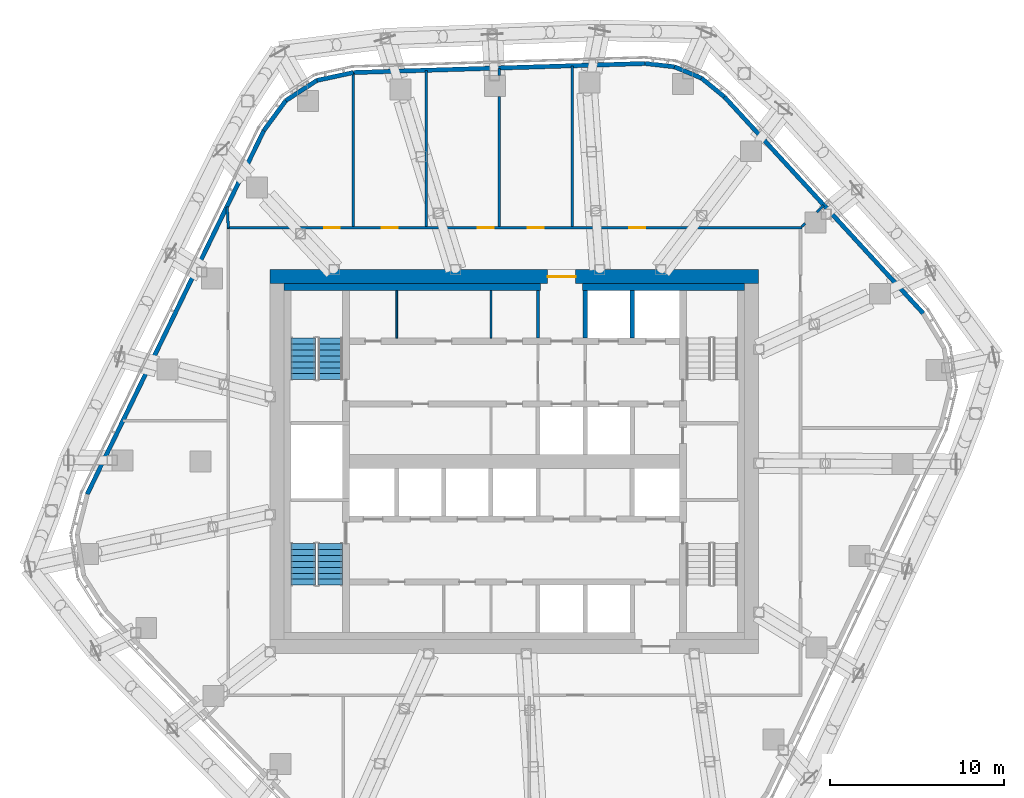
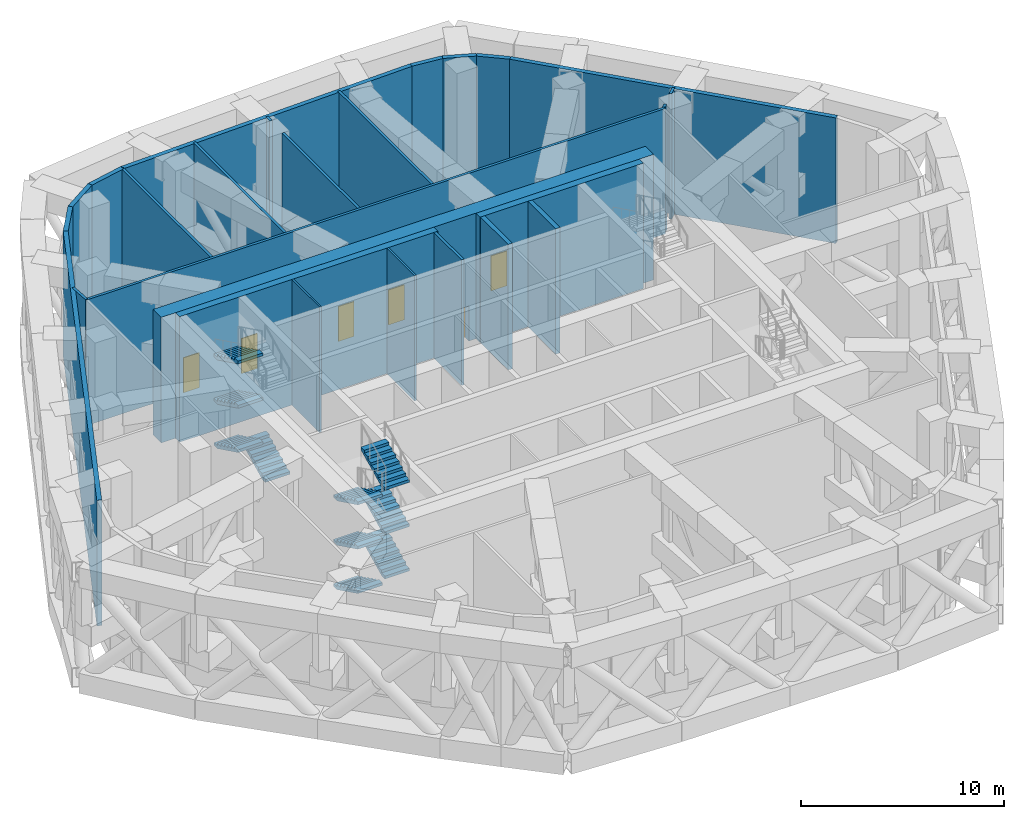
# One storey, part 13 of 21: 26 walls, 10 stair flights, 6 doors, 6 openings, 2 elements without a shape of their own.
"""IFC4 building model written with IfcOpenShell, lengths in metres."""

from ifc_helpers import new_model, si_unit, direction, frame, frame_2d, origin, place, context, subcontext, project, spatial, polyline, rectangle, outline, extrude, material, layer, layer_set, type_object, element, fill, aggregate, save


model = new_model("IFC4")

# Units and contexts
model_context = context("Model", 3, precision=1e-05, world=origin(), true_north=direction((0.0, 1.0)))
body_context = subcontext(model_context, "Body", "Model", "MODEL_VIEW")
ifc_project = project(units=[si_unit("LENGTHUNIT", "METRE"), si_unit("AREAUNIT", "SQUARE_METRE"), si_unit("VOLUMEUNIT", "CUBIC_METRE"), si_unit("PLANEANGLEUNIT", "RADIAN"), si_unit("MASSUNIT", "GRAM", prefix="KILO")], contexts=[model_context])

# Site, building, storey
site_placement = place(None, origin())
site = spatial("IfcSite", under=ifc_project, at=site_placement, CompositionType="ELEMENT")
building_placement = place(site_placement, origin())
building = spatial("IfcBuilding", under=site, at=building_placement, Name="Dongbaek Canopy Tower", CompositionType="ELEMENT")
storey_placement = place(building_placement, frame((0.0, 0.0, 220.60009765625)))
storey = spatial("IfcBuildingStorey", under=building, at=storey_placement, Name="L46", CompositionType="ELEMENT", Elevation=220.60009765625)

# Wall, opening, door
ifc_material_1 = material(Name="Concrete C70/85", Category="concrete")
ifc_layer_1 = layer(ifc_material_1, 0.800048828125)
ifc_layer_set_1 = layer_set([ifc_layer_1], Name="Core outer wall 800 Concrete C70/85")
wall_type_1 = type_object("IfcWallType", Name="Core outer wall 800 Concrete C70/85", PredefinedType="SHEAR", material=ifc_layer_set_1)
wall_1_placement = place(storey_placement, frame((-14.0, 10.60009765625, 0.0), z_axis=(0.0, 0.0, 1.0), x_axis=(1.0, 0.0, 0.0)))
wall_1 = element("IfcWall", 1, at=wall_1_placement, inside=storey, type_object=wall_type_1, Name="Core wall", PredefinedType="SHEAR", context=body_context, shape_type="SweptSolid", body=[
    extrude(rectangle(XDim=28.0, YDim=0.800048828125, at=frame_2d((14.0, 0.0))), origin(), (0.0, 0.0, 1.0), 7.5498046875),
])
opening_1_placement = place(wall_1_placement, frame((15.89990234375, 0.0, 0.0)))
opening_1 = element("IfcOpeningElement", 2, at=opening_1_placement, cuts=wall_1, Name="Opening L46-D014", PredefinedType="OPENING", context=body_context, shape_type="SweptSolid", body=[
    extrude(rectangle(XDim=1.60009765625, YDim=2.10009765625, at=frame_2d((0.800048828125, 1.050048828125))), frame((0.0, 0.409912109375, 0.0), z_axis=(0.0, -1.0, 0.0), x_axis=(1.0, 0.0, 0.0)), (0.0, 0.0, 1.0), 0.820068359375),
])
ifc_material_2 = material(Name="Steel", Category="steel")
door_type_1 = type_object("IfcDoorType", Name="Core exit door 1600 x 2100", OperationType="DOUBLE_DOOR_SINGLE_SWING", PredefinedType="DOOR", material=ifc_material_2)
door_1_placement = place(opening_1_placement, origin())
door_1 = element("IfcDoor", 3, at=door_1_placement, inside=storey, type_object=door_type_1, Name="Core exit door", OperationType="DOUBLE_DOOR_SINGLE_SWING", OverallHeight=2.10009765625, OverallWidth=1.60009765625, PredefinedType="DOOR", context=body_context, shape_type="SweptSolid", body=[
    extrude(rectangle(XDim=1.60009765625, YDim=2.10009765625, at=frame_2d((0.800048828125, 1.050048828125))), frame((0.0, 0.02490234375, 0.0), z_axis=(0.0, -1.0, 0.0), x_axis=(1.0, 0.0, 0.0)), (0.0, 0.0, 1.0), 0.050048828125),
])
fill(opening_1, door_1)

# Walls
ifc_material_3 = material(Name="Concrete C60/75", Category="concrete")
ifc_layer_2 = layer(ifc_material_3, 0.39990234375)
ifc_layer_set_2 = layer_set([ifc_layer_2], Name="Core wall lining 400 Concrete C60/75")
wall_type_2 = type_object("IfcWallType", Name="Core wall lining 400 Concrete C60/75", PredefinedType="SHEAR", material=ifc_layer_set_2)
wall_2_placement = place(storey_placement, frame((-13.199951171875, 10.0, 0.0), z_axis=(0.0, 0.0, 1.0), x_axis=(1.0, 0.0, 0.0)))
element("IfcWall", 4, at=wall_2_placement, inside=storey, type_object=wall_type_2, Name="Core wall lining", PredefinedType="SHEAR", context=body_context, shape_type="SweptSolid", body=[
    extrude(rectangle(XDim=14.699951171875, YDim=0.39990234375, at=frame_2d((7.35009765625, 0.0))), origin(), (0.0, 0.0, 1.0), 7.5498046875),
])
wall_3_placement = place(storey_placement, frame((3.89990234375, 10.0, 0.0), z_axis=(0.0, 0.0, 1.0), x_axis=(1.0, 0.0, 0.0)))
element("IfcWall", 5, at=wall_3_placement, inside=storey, type_object=wall_type_2, Name="Core wall lining", PredefinedType="SHEAR", context=body_context, shape_type="SweptSolid", body=[
    extrude(rectangle(XDim=9.300048828125, YDim=0.39990234375, at=frame_2d((4.64990234375, 0.0))), origin(), (0.0, 0.0, 1.0), 7.5498046875),
])

# Wall, openings, doors
ifc_material_4 = material(Name="Gypsum board partition, steel stud, 2 x 15 mm fire board", Category="steel")
ifc_layer_3 = layer(ifc_material_4, 0.14990234375)
ifc_layer_set_3 = layer_set([ifc_layer_3], Name="Fire-rated partition 150 gypsum board")
wall_type_3 = type_object("IfcWallType", Name="Fire-rated partition 150 gypsum board", PredefinedType="PARTITIONING", material=ifc_layer_set_3)
wall_4_placement = place(storey_placement, frame((-16.47509765625, 13.39990234375, 0.0), z_axis=(0.0, 0.0, 1.0), x_axis=(1.0, 0.0, 0.0)))
wall_4 = element("IfcWall", 6, at=wall_4_placement, inside=storey, type_object=wall_type_3, Name="Corridor partition", PredefinedType="PARTITIONING", context=body_context, shape_type="SweptSolid", body=[
    extrude(rectangle(XDim=32.9501953125, YDim=0.14990234375, at=frame_2d((16.47509765625, 0.0))), origin(), (0.0, 0.0, 1.0), 7.5498046875),
])
opening_2_placement = place(wall_4_placement, frame((23.069091796875, 0.0, 0.0)))
opening_2 = element("IfcOpeningElement", 7, at=opening_2_placement, cuts=wall_4, Name="Opening L46-D007", PredefinedType="OPENING", context=body_context, shape_type="SweptSolid", body=[
    extrude(rectangle(XDim=0.89990234375, YDim=2.10009765625, at=frame_2d((0.449951171875, 1.050048828125))), frame((0.0, 0.0849609375, 0.0), z_axis=(0.0, -1.0, 0.0), x_axis=(1.0, 0.0, 0.0)), (0.0, 0.0, 1.0), 0.169921875),
])
opening_3_placement = place(wall_4_placement, frame((17.244384765625, 0.0, 0.0)))
opening_3 = element("IfcOpeningElement", 8, at=opening_3_placement, cuts=wall_4, Name="Opening L46-D008", PredefinedType="OPENING", context=body_context, shape_type="SweptSolid", body=[
    extrude(rectangle(XDim=0.89990234375, YDim=2.10009765625, at=frame_2d((0.449951171875, 1.050048828125))), frame((0.0, 0.0849609375, 0.0), z_axis=(0.0, -1.0, 0.0), x_axis=(1.0, 0.0, 0.0)), (0.0, 0.0, 1.0), 0.169921875),
])
opening_4_placement = place(wall_4_placement, frame((14.38232421875, 0.0, 0.0)))
opening_4 = element("IfcOpeningElement", 9, at=opening_4_placement, cuts=wall_4, Name="Opening L46-D009", PredefinedType="OPENING", context=body_context, shape_type="SweptSolid", body=[
    extrude(rectangle(XDim=0.89990234375, YDim=2.10009765625, at=frame_2d((0.449951171875, 1.050048828125))), frame((0.0, 0.0849609375, 0.0), z_axis=(0.0, -1.0, 0.0), x_axis=(1.0, 0.0, 0.0)), (0.0, 0.0, 1.0), 0.169921875),
])
opening_5_placement = place(wall_4_placement, frame((8.874267578125, 0.0, 0.0)))
opening_5 = element("IfcOpeningElement", 10, at=opening_5_placement, cuts=wall_4, Name="Opening L46-D010", PredefinedType="OPENING", context=body_context, shape_type="SweptSolid", body=[
    extrude(rectangle(XDim=0.89990234375, YDim=2.10009765625, at=frame_2d((0.449951171875, 1.050048828125))), frame((0.0, 0.0849609375, 0.0), z_axis=(0.0, -1.0, 0.0), x_axis=(1.0, 0.0, 0.0)), (0.0, 0.0, 1.0), 0.169921875),
])
opening_6_placement = place(wall_4_placement, frame((5.575439453125, 0.0, 0.0)))
opening_6 = element("IfcOpeningElement", 11, at=opening_6_placement, cuts=wall_4, Name="Opening L46-D011", PredefinedType="OPENING", context=body_context, shape_type="SweptSolid", body=[
    extrude(rectangle(XDim=0.89990234375, YDim=2.10009765625, at=frame_2d((0.449951171875, 1.050048828125))), frame((0.0, 0.0849609375, 0.0), z_axis=(0.0, -1.0, 0.0), x_axis=(1.0, 0.0, 0.0)), (0.0, 0.0, 1.0), 0.169921875),
])
ifc_material_5 = material(Name="Timber veneered door leaf", Category="wood")
door_type_2 = type_object("IfcDoorType", Name="Room door 900 x 2100", OperationType="SINGLE_SWING_LEFT", PredefinedType="DOOR", material=ifc_material_5)
door_2_placement = place(opening_2_placement, origin())
door_2 = element("IfcDoor", 12, at=door_2_placement, inside=storey, type_object=door_type_2, Name="Door L46-D007", OperationType="SINGLE_SWING_RIGHT", OverallHeight=2.10009765625, OverallWidth=0.89990234375, PredefinedType="DOOR", context=body_context, shape_type="SweptSolid", body=[
    extrude(rectangle(XDim=0.89990234375, YDim=2.10009765625, at=frame_2d((0.449951171875, 1.050048828125))), frame((0.0, 0.02490234375, 0.0), z_axis=(0.0, -1.0, 0.0), x_axis=(1.0, 0.0, 0.0)), (0.0, 0.0, 1.0), 0.050048828125),
])
fill(opening_2, door_2)
ifc_material_6 = material(Name="Timber veneered door leaf", Category="wood")
door_type_3 = type_object("IfcDoorType", Name="Store door 900 x 2100", OperationType="SINGLE_SWING_LEFT", PredefinedType="DOOR", material=ifc_material_6)
door_3_placement = place(opening_3_placement, origin())
door_3 = element("IfcDoor", 13, at=door_3_placement, inside=storey, type_object=door_type_3, Name="Door L46-D008", OperationType="SINGLE_SWING_LEFT", OverallHeight=2.10009765625, OverallWidth=0.89990234375, PredefinedType="DOOR", context=body_context, shape_type="SweptSolid", body=[
    extrude(rectangle(XDim=0.89990234375, YDim=2.10009765625, at=frame_2d((0.449951171875, 1.050048828125))), frame((0.0, 0.02490234375, 0.0), z_axis=(0.0, -1.0, 0.0), x_axis=(1.0, 0.0, 0.0)), (0.0, 0.0, 1.0), 0.050048828125),
])
fill(opening_3, door_3)
door_4_placement = place(opening_4_placement, origin())
door_4 = element("IfcDoor", 14, at=door_4_placement, inside=storey, type_object=door_type_3, Name="Door L46-D009", OperationType="SINGLE_SWING_RIGHT", OverallHeight=2.10009765625, OverallWidth=0.89990234375, PredefinedType="DOOR", context=body_context, shape_type="SweptSolid", body=[
    extrude(rectangle(XDim=0.89990234375, YDim=2.10009765625, at=frame_2d((0.449951171875, 1.050048828125))), frame((0.0, 0.02490234375, 0.0), z_axis=(0.0, -1.0, 0.0), x_axis=(1.0, 0.0, 0.0)), (0.0, 0.0, 1.0), 0.050048828125),
])
fill(opening_4, door_4)
door_5_placement = place(opening_5_placement, origin())
door_5 = element("IfcDoor", 15, at=door_5_placement, inside=storey, type_object=door_type_3, Name="Door L46-D010", OperationType="SINGLE_SWING_LEFT", OverallHeight=2.10009765625, OverallWidth=0.89990234375, PredefinedType="DOOR", context=body_context, shape_type="SweptSolid", body=[
    extrude(rectangle(XDim=0.89990234375, YDim=2.10009765625, at=frame_2d((0.449951171875, 1.050048828125))), frame((0.0, 0.02490234375, 0.0), z_axis=(0.0, -1.0, 0.0), x_axis=(1.0, 0.0, 0.0)), (0.0, 0.0, 1.0), 0.050048828125),
])
fill(opening_5, door_5)
door_6_placement = place(opening_6_placement, origin())
door_6 = element("IfcDoor", 16, at=door_6_placement, inside=storey, type_object=door_type_3, Name="Door L46-D011", OperationType="SINGLE_SWING_RIGHT", OverallHeight=2.10009765625, OverallWidth=0.89990234375, PredefinedType="DOOR", context=body_context, shape_type="SweptSolid", body=[
    extrude(rectangle(XDim=0.89990234375, YDim=2.10009765625, at=frame_2d((0.449951171875, 1.050048828125))), frame((0.0, 0.02490234375, 0.0), z_axis=(0.0, -1.0, 0.0), x_axis=(1.0, 0.0, 0.0)), (0.0, 0.0, 1.0), 0.050048828125),
])
fill(opening_6, door_6)

# Walls
wall_5_placement = place(storey_placement, frame((16.477783203125, 13.47509765625, 0.0), z_axis=(0.0, 0.0, 1.0), x_axis=(0.716596850533, 0.697487601185, 0.0)))
element("IfcWall", 17, at=wall_5_placement, inside=storey, type_object=wall_type_3, Name="Corridor partition", PredefinedType="PARTITIONING", context=body_context, shape_type="SweptSolid", body=[
    extrude(rectangle(XDim=0.255615234375, YDim=0.14990234375, at=frame_2d((0.1279296875, 0.0))), origin(), (0.0, 0.0, 1.0), 7.5498046875),
])
wall_6_placement = place(storey_placement, frame((17.33203125, 14.305908203125, 0.0), z_axis=(0.0, 0.0, 1.0), x_axis=(0.716671472449, 0.697410926627, 0.0)))
element("IfcWall", 18, at=wall_6_placement, inside=storey, type_object=wall_type_3, Name="Corridor partition", PredefinedType="PARTITIONING", context=body_context, shape_type="SweptSolid", body=[
    extrude(rectangle(XDim=0.545166015625, YDim=0.14990234375, at=frame_2d((0.2724609375, 0.0))), origin(), (0.0, 0.0, 1.0), 7.5498046875),
])
wall_7_placement = place(storey_placement, frame((3.31201171875, 13.47509765625, 0.0), z_axis=(0.0, 0.0, 1.0), x_axis=(0.0, 1.0, 0.0)))
element("IfcWall", 19, at=wall_7_placement, inside=storey, type_object=wall_type_3, Name="Corridor partition", PredefinedType="PARTITIONING", context=body_context, shape_type="SweptSolid", body=[
    extrude(rectangle(XDim=9.19775390625, YDim=0.14990234375, at=frame_2d((4.598876953125, 0.0))), origin(), (0.0, 0.0, 1.0), 7.5498046875),
])
wall_8_placement = place(storey_placement, frame((-0.873046875, 13.47509765625, 0.0), z_axis=(0.0, 0.0, 1.0), x_axis=(0.0, 1.0, 0.0)))
element("IfcWall", 20, at=wall_8_placement, inside=storey, type_object=wall_type_3, Name="Corridor partition", PredefinedType="PARTITIONING", context=body_context, shape_type="SweptSolid", body=[
    extrude(rectangle(XDim=7.454833984375, YDim=0.14990234375, at=frame_2d((3.7275390625, 0.0))), origin(), (0.0, 0.0, 1.0), 7.5498046875),
])
wall_9_placement = place(storey_placement, frame((-0.873046875, 22.1298828125, 0.0), z_axis=(0.0, 0.0, 1.0), x_axis=(0.0, 1.0, 0.0)))
element("IfcWall", 21, at=wall_9_placement, inside=storey, type_object=wall_type_3, Name="Corridor partition", PredefinedType="PARTITIONING", context=body_context, shape_type="SweptSolid", body=[
    extrude(rectangle(XDim=0.413330078125, YDim=0.14990234375, at=frame_2d((0.20654296875, 0.0))), origin(), (0.0, 0.0, 1.0), 7.5498046875),
])
wall_10_placement = place(storey_placement, frame((-5.05810546875, 13.47509765625, 0.0), z_axis=(0.0, 0.0, 1.0), x_axis=(0.0, 1.0, 0.0)))
element("IfcWall", 22, at=wall_10_placement, inside=storey, type_object=wall_type_3, Name="Corridor partition", PredefinedType="PARTITIONING", context=body_context, shape_type="SweptSolid", body=[
    extrude(rectangle(XDim=8.9384765625, YDim=0.14990234375, at=frame_2d((4.46923828125, 0.0))), origin(), (0.0, 0.0, 1.0), 7.5498046875),
])
wall_11_placement = place(storey_placement, frame((-9.242919921875, 13.47509765625, 0.0), z_axis=(0.0, 0.0, 1.0), x_axis=(0.0, 1.0, 0.0)))
element("IfcWall", 23, at=wall_11_placement, inside=storey, type_object=wall_type_3, Name="Corridor partition", PredefinedType="PARTITIONING", context=body_context, shape_type="SweptSolid", body=[
    extrude(rectangle(XDim=8.80615234375, YDim=0.14990234375, at=frame_2d((4.403076171875, 0.0))), origin(), (0.0, 0.0, 1.0), 7.5498046875),
])
wall_12_placement = place(storey_placement, frame((-16.467041015625, 14.6083984375, 0.0), z_axis=(0.0, 0.0, 1.0), x_axis=(0.055268927733, -0.998471504665, 0.0)))
element("IfcWall", 24, at=wall_12_placement, inside=storey, type_object=wall_type_3, Name="Corridor partition", PredefinedType="PARTITIONING", context=body_context, shape_type="SweptSolid", body=[
    extrude(rectangle(XDim=1.21044921875, YDim=0.14990234375, at=frame_2d((0.605224609375, 0.0))), origin(), (0.0, 0.0, 1.0), 7.5498046875),
])
wall_13_placement = place(storey_placement, frame((1.35009765625, 7.074951171875, 0.0), z_axis=(0.0, 0.0, 1.0), x_axis=(0.0, 1.0, 0.0)))
element("IfcWall", 25, at=wall_13_placement, inside=storey, type_object=wall_type_3, Name="Fire lobby partition", PredefinedType="PARTITIONING", context=body_context, shape_type="SweptSolid", body=[
    extrude(rectangle(XDim=2.72509765625, YDim=0.14990234375, at=frame_2d((1.362548828125, 0.0))), origin(), (0.0, 0.0, 1.0), 7.5498046875),
])
ifc_material_7 = material(Name="Concrete C40/50", Category="concrete")
ifc_layer_4 = layer(ifc_material_7, 0.25)
ifc_layer_set_4 = layer_set([ifc_layer_4], Name="Lift shaft wall 250 Concrete C40/50")
wall_type_4 = type_object("IfcWallType", Name="Lift shaft wall 250 Concrete C40/50", PredefinedType="SOLIDWALL", material=ifc_layer_set_4)
for number, where, z_axis, x_axis, name in (
    (26, (6.75, 7.074951171875, 0.0), (0.0, 0.0, 1.0), (0.0, 1.0, 0.0), "Lift shaft wall"),
    (27, (4.050048828125, 7.074951171875, 0.0), (0.0, 0.0, 1.0), (0.0, 1.0, 0.0), "Lift shaft wall"),
):
    element("IfcWall", number, at=place(storey_placement, frame(where, z_axis=z_axis, x_axis=x_axis)), inside=storey, type_object=wall_type_4, Name=name, PredefinedType="SOLIDWALL", context=body_context, shape_type="SweptSolid", body=[
        extrude(rectangle(XDim=2.72509765625, YDim=0.25, at=frame_2d((1.362548828125, 0.0))), origin(), (0.0, 0.0, 1.0), 7.5498046875),
    ])
ifc_material_8 = material(Name="Gypsum board partition, steel stud, 2 x 12.5 mm board", Category="steel")
ifc_layer_5 = layer(ifc_material_8, 0.10009765625)
ifc_layer_set_5 = layer_set([ifc_layer_5], Name="Partition 100 gypsum board")
wall_type_5 = type_object("IfcWallType", Name="Partition 100 gypsum board", PredefinedType="PARTITIONING", material=ifc_layer_set_5)
for number, where, z_axis, x_axis, name in (
    (28, (-1.35009765625, 7.074951171875, 0.0), (0.0, 0.0, 1.0), (0.0, 1.0, 0.0), "Core partition"),
    (29, (-6.75, 7.074951171875, 0.0), (0.0, 0.0, 1.0), (0.0, 1.0, 0.0), "Core partition"),
):
    element("IfcWall", number, at=place(storey_placement, frame(where, z_axis=z_axis, x_axis=x_axis)), inside=storey, type_object=wall_type_5, Name=name, PredefinedType="PARTITIONING", context=body_context, shape_type="SweptSolid", body=[
        extrude(rectangle(XDim=2.72509765625, YDim=0.10009765625, at=frame_2d((1.362548828125, 0.0))), origin(), (0.0, 0.0, 1.0), 7.5498046875),
    ])
ifc_material_9 = material(Name="Pale metal cladding on insulated wall")
ifc_layer_6 = layer(ifc_material_9, 0.25)
ifc_layer_set_6 = layer_set([ifc_layer_6], Name="Plant floor wall 250")
wall_type_6 = type_object("IfcWallType", Name="Plant floor wall 250", PredefinedType="SOLIDWALL", material=ifc_layer_set_6)
wall_14_placement = place(storey_placement, frame((23.43408203125, 8.496337890625, 0.0), z_axis=(0.0, 0.0, 1.0), x_axis=(-0.676389444632, 0.736544173278, 0.0)))
element("IfcWall", 30, at=wall_14_placement, inside=storey, type_object=wall_type_6, Name="Plant wall L46 F0 1", PredefinedType="SOLIDWALL", context=body_context, shape_type="SweptSolid", body=[
    extrude(rectangle(XDim=16.855224609375, YDim=0.25, at=frame_2d((8.427734375, 0.0))), origin(), (0.0, 0.0, 1.0), 7.5498046875),
])
wall_15_placement = place(storey_placement, frame((12.033447265625, 20.910888671875, 0.0), z_axis=(0.0, 0.0, 1.0), x_axis=(-0.7745875531, 0.632466696816, 0.0)))
element("IfcWall", 31, at=wall_15_placement, inside=storey, type_object=wall_type_6, Name="Plant wall L46 K1 1", PredefinedType="SOLIDWALL", context=body_context, shape_type="SweptSolid", body=[
    extrude(rectangle(XDim=1.6904296875, YDim=0.25, at=frame_2d((0.84521484375, 0.0))), origin(), (0.0, 0.0, 1.0), 7.5498046875),
])
wall_16_placement = place(storey_placement, frame((10.72412109375, 21.97998046875, 0.0), z_axis=(0.0, 0.0, 1.0), x_axis=(-0.921654486632, 0.388011607136, 0.0)))
element("IfcWall", 32, at=wall_16_placement, inside=storey, type_object=wall_type_6, Name="Plant wall L46 K1 2", PredefinedType="SOLIDWALL", context=body_context, shape_type="SweptSolid", body=[
    extrude(rectangle(XDim=1.68310546875, YDim=0.25, at=frame_2d((0.841552734375, 0.0))), origin(), (0.0, 0.0, 1.0), 7.5498046875),
])
wall_17_placement = place(storey_placement, frame((9.1728515625, 22.633056640625, 0.0), z_axis=(0.0, 0.0, 1.0), x_axis=(-0.993715260026, 0.11193740211, 0.0)))
element("IfcWall", 33, at=wall_17_placement, inside=storey, type_object=wall_type_6, Name="Plant wall L46 K1 3", PredefinedType="SOLIDWALL", context=body_context, shape_type="SweptSolid", body=[
    extrude(rectangle(XDim=1.6904296875, YDim=0.25, at=frame_2d((0.84521484375, 0.0))), origin(), (0.0, 0.0, 1.0), 7.5498046875),
])
wall_18_placement = place(storey_placement, frame((7.4931640625, 22.822265625, 0.0), z_axis=(0.0, 0.0, 1.0), x_axis=(-0.999520551637, -0.030962345779, 0.0)))
element("IfcWall", 34, at=wall_18_placement, inside=storey, type_object=wall_type_6, Name="Plant wall L46 F1 1", PredefinedType="SOLIDWALL", context=body_context, shape_type="SweptSolid", body=[
    extrude(rectangle(XDim=16.732177734375, YDim=0.25, at=frame_2d((8.3662109375, 0.0))), origin(), (0.0, 0.0, 1.0), 7.5498046875),
])
wall_19_placement = place(storey_placement, frame((-9.23095703125, 22.30419921875, 0.0), z_axis=(0.0, 0.0, 1.0), x_axis=(-0.97756766499, -0.210621604697, 0.0)))
element("IfcWall", 35, at=wall_19_placement, inside=storey, type_object=wall_type_6, Name="Plant wall L46 K2 1", PredefinedType="SOLIDWALL", context=body_context, shape_type="SweptSolid", body=[
    extrude(rectangle(XDim=2.13623046875, YDim=0.25, at=frame_2d((1.068115234375, 0.0))), origin(), (0.0, 0.0, 1.0), 7.5498046875),
])
wall_20_placement = place(storey_placement, frame((-11.3193359375, 21.854248046875, 0.0), z_axis=(0.0, 0.0, 1.0), x_axis=(-0.839218944968, -0.543793676321, 0.0)))
element("IfcWall", 36, at=wall_20_placement, inside=storey, type_object=wall_type_6, Name="Plant wall L46 K2 2", PredefinedType="SOLIDWALL", context=body_context, shape_type="SweptSolid", body=[
    extrude(rectangle(XDim=2.127197265625, YDim=0.25, at=frame_2d((1.0634765625, 0.0))), origin(), (0.0, 0.0, 1.0), 7.5498046875),
])
wall_21_placement = place(storey_placement, frame((-13.1044921875, 20.697509765625, 0.0), z_axis=(0.0, 0.0, 1.0), x_axis=(-0.591868900616, -0.80603424523, 0.0)))
element("IfcWall", 37, at=wall_21_placement, inside=storey, type_object=wall_type_6, Name="Plant wall L46 K2 3", PredefinedType="SOLIDWALL", context=body_context, shape_type="SweptSolid", body=[
    extrude(rectangle(XDim=2.13623046875, YDim=0.25, at=frame_2d((1.068115234375, 0.0))), origin(), (0.0, 0.0, 1.0), 7.5498046875),
])
wall_22_placement = place(storey_placement, frame((-14.368896484375, 18.9755859375, 0.0), z_axis=(0.0, 0.0, 1.0), x_axis=(-0.436764875806, -0.899575701796, 0.0)))
element("IfcWall", 38, at=wall_22_placement, inside=storey, type_object=wall_type_6, Name="Plant wall L46 F2 1", PredefinedType="SOLIDWALL", context=body_context, shape_type="SweptSolid", body=[
    extrude(rectangle(XDim=23.171142578125, YDim=0.25, at=frame_2d((11.58544921875, 0.0))), origin(), (0.0, 0.0, 1.0), 7.5498046875),
])

# Stair, stair flights
ifc_material_10 = material(Name="Concrete C40/50", Category="concrete")
stair_type = type_object("IfcStairType", Name="Core exit stair", PredefinedType="HALF_TURN_STAIR", material=ifc_material_10)
stair_1_placement = place(storey_placement, origin())
stair_1 = element("IfcStair", 39, at=stair_1_placement, inside=storey, type_object=stair_type, Name="L46 exit stair C", PredefinedType="HALF_TURN_STAIR")
ifc_material_11 = material(Name="Concrete C40/50", Category="concrete")
ifc_layer_7 = layer(ifc_material_11, 0.14990234375)
ifc_layer_set_7 = layer_set([ifc_layer_7], Name="Core stair flight 150 waist")
stair_flight_type = type_object("IfcStairFlightType", Name="Core stair flight 150 waist", PredefinedType="STRAIGHT", material=ifc_layer_set_7)
stair_flight_1_placement = place(storey_placement, frame((-10.550048828125, 4.699951171875, 0.0), z_axis=(0.0, 0.0, 1.0), x_axis=(0.0, 1.0, 0.0)))
stair_flight_1 = element("IfcStairFlight", 40, at=stair_flight_1_placement, type_object=stair_flight_type, Name="ST-C flight 1", NumberOfRisers=8, NumberOfTreads=7, PredefinedType="STRAIGHT", RiserHeight=0.166666667, TreadLength=0.34, context=body_context, shape_type="SweptSolid", body=[
    extrude(outline(polyline([(0.0, 0.0), (0.0, 0.166748046875), (0.340087890625, 0.166748046875), (0.340087890625, 0.333251953125), (0.679931640625, 0.333251953125), (0.679931640625, 0.5), (1.02001953125, 0.5), (1.02001953125, 0.666748046875), (1.360107421875, 0.666748046875), (1.360107421875, 0.833251953125), (1.699951171875, 0.833251953125), (1.699951171875, 1.0), (2.0400390625, 1.0), (2.0400390625, 1.166748046875), (2.3798828125, 1.166748046875), (2.3798828125, 1.333251953125), (2.3798828125, 0.999755859375), (0.340576171875, 0.0), (0.0, 0.0)])), frame((0.0, 0.699951171875, 0.0), z_axis=(0.0, -1.0, 0.0), x_axis=(1.0, 0.0, 0.0)), (0.0, 0.0, 1.0), 1.39990234375),
])
stair_flight_2_placement = place(storey_placement, frame((-12.10009765625, 7.080078125, 1.333251953125), z_axis=(0.0, 0.0, 1.0), x_axis=(0.0, -1.0, 0.0)))
stair_flight_2 = element("IfcStairFlight", 41, at=stair_flight_2_placement, type_object=stair_flight_type, Name="ST-C flight 2", NumberOfRisers=8, NumberOfTreads=7, PredefinedType="STRAIGHT", RiserHeight=0.166666667, TreadLength=0.34, context=body_context, shape_type="SweptSolid", body=[
    extrude(outline(polyline([(0.0, 0.0), (0.0, 0.166748046875), (0.340087890625, 0.166748046875), (0.340087890625, 0.333251953125), (0.679931640625, 0.333251953125), (0.679931640625, 0.5), (1.02001953125, 0.5), (1.02001953125, 0.666748046875), (1.360107421875, 0.666748046875), (1.360107421875, 0.833251953125), (1.699951171875, 0.833251953125), (1.699951171875, 1.0), (2.0400390625, 1.0), (2.0400390625, 1.166748046875), (2.3798828125, 1.166748046875), (2.3798828125, 1.333251953125), (2.3798828125, 0.999755859375), (0.340576171875, 0.0), (0.0, 0.0)])), frame((0.0, 0.699951171875, 0.0), z_axis=(0.0, -1.0, 0.0), x_axis=(1.0, 0.0, 0.0)), (0.0, 0.0, 1.0), 1.39990234375),
])
stair_flight_3_placement = place(storey_placement, frame((-12.10009765625, 7.080078125, 4.0), z_axis=(0.0, 0.0, 1.0), x_axis=(0.0, -1.0, 0.0)))
stair_flight_3 = element("IfcStairFlight", 42, at=stair_flight_3_placement, type_object=stair_flight_type, Name="ST-C flight 4", NumberOfRisers=8, NumberOfTreads=7, PredefinedType="STRAIGHT", RiserHeight=0.166666667, TreadLength=0.34, context=body_context, shape_type="SweptSolid", body=[
    extrude(outline(polyline([(0.0, 0.0), (0.0, 0.166748046875), (0.340087890625, 0.166748046875), (0.340087890625, 0.333251953125), (0.679931640625, 0.333251953125), (0.679931640625, 0.5), (1.02001953125, 0.5), (1.02001953125, 0.666748046875), (1.360107421875, 0.666748046875), (1.360107421875, 0.833251953125), (1.699951171875, 0.833251953125), (1.699951171875, 1.0), (2.0400390625, 1.0), (2.0400390625, 1.166748046875), (2.3798828125, 1.166748046875), (2.3798828125, 1.333251953125), (2.3798828125, 0.999755859375), (0.340576171875, 0.0), (0.0, 0.0)])), frame((0.0, 0.699951171875, 0.0), z_axis=(0.0, -1.0, 0.0), x_axis=(1.0, 0.0, 0.0)), (0.0, 0.0, 1.0), 1.39990234375),
])
stair_flight_4_placement = place(storey_placement, frame((-12.10009765625, 7.080078125, 6.66650390625), z_axis=(0.0, 0.0, 1.0), x_axis=(0.0, -1.0, 0.0)))
stair_flight_4 = element("IfcStairFlight", 43, at=stair_flight_4_placement, type_object=stair_flight_type, Name="ST-C flight 6", NumberOfRisers=8, NumberOfTreads=7, PredefinedType="STRAIGHT", RiserHeight=0.166666667, TreadLength=0.34, context=body_context, shape_type="SweptSolid", body=[
    extrude(outline(polyline([(0.0, 0.0), (0.0, 0.166748046875), (0.340087890625, 0.166748046875), (0.340087890625, 0.333251953125), (0.679931640625, 0.333251953125), (0.679931640625, 0.5), (1.02001953125, 0.5), (1.02001953125, 0.666748046875), (1.360107421875, 0.666748046875), (1.360107421875, 0.833251953125), (1.699951171875, 0.833251953125), (1.699951171875, 1.0), (2.0400390625, 1.0), (2.0400390625, 1.166748046875), (2.3798828125, 1.166748046875), (2.3798828125, 1.333251953125), (2.3798828125, 0.999755859375), (0.340576171875, 0.0), (0.0, 0.0)])), frame((0.0, 0.699951171875, 0.0), z_axis=(0.0, -1.0, 0.0), x_axis=(1.0, 0.0, 0.0)), (0.0, 0.0, 1.0), 1.39990234375),
])
aggregate(stair_1, [stair_flight_1, stair_flight_2, stair_flight_3, stair_flight_4])

stair_2_placement = place(storey_placement, origin())
stair_2 = element("IfcStair", 44, at=stair_2_placement, inside=storey, type_object=stair_type, Name="L46 exit stair D", PredefinedType="HALF_TURN_STAIR")
stair_flight_5_placement = place(storey_placement, frame((-12.10009765625, -4.699951171875, 0.0), z_axis=(0.0, 0.0, 1.0), x_axis=(0.0, -1.0, 0.0)))
stair_flight_5 = element("IfcStairFlight", 45, at=stair_flight_5_placement, type_object=stair_flight_type, Name="ST-D flight 1", NumberOfRisers=8, NumberOfTreads=7, PredefinedType="STRAIGHT", RiserHeight=0.166666667, TreadLength=0.34, context=body_context, shape_type="SweptSolid", body=[
    extrude(outline(polyline([(0.0, 0.0), (0.0, 0.166748046875), (0.340087890625, 0.166748046875), (0.340087890625, 0.333251953125), (0.679931640625, 0.333251953125), (0.679931640625, 0.5), (1.02001953125, 0.5), (1.02001953125, 0.666748046875), (1.360107421875, 0.666748046875), (1.360107421875, 0.833251953125), (1.699951171875, 0.833251953125), (1.699951171875, 1.0), (2.0400390625, 1.0), (2.0400390625, 1.166748046875), (2.3798828125, 1.166748046875), (2.3798828125, 1.333251953125), (2.3798828125, 0.999755859375), (0.340576171875, 0.0), (0.0, 0.0)])), frame((0.0, 0.699951171875, 0.0), z_axis=(0.0, -1.0, 0.0), x_axis=(1.0, 0.0, 0.0)), (0.0, 0.0, 1.0), 1.39990234375),
])
stair_flight_6_placement = place(storey_placement, frame((-10.550048828125, -7.080078125, 1.333251953125), z_axis=(0.0, 0.0, 1.0), x_axis=(0.0, 1.0, 0.0)))
stair_flight_6 = element("IfcStairFlight", 46, at=stair_flight_6_placement, type_object=stair_flight_type, Name="ST-D flight 2", NumberOfRisers=8, NumberOfTreads=7, PredefinedType="STRAIGHT", RiserHeight=0.166666667, TreadLength=0.34, context=body_context, shape_type="SweptSolid", body=[
    extrude(outline(polyline([(0.0, 0.0), (0.0, 0.166748046875), (0.340087890625, 0.166748046875), (0.340087890625, 0.333251953125), (0.679931640625, 0.333251953125), (0.679931640625, 0.5), (1.02001953125, 0.5), (1.02001953125, 0.666748046875), (1.360107421875, 0.666748046875), (1.360107421875, 0.833251953125), (1.699951171875, 0.833251953125), (1.699951171875, 1.0), (2.0400390625, 1.0), (2.0400390625, 1.166748046875), (2.3798828125, 1.166748046875), (2.3798828125, 1.333251953125), (2.3798828125, 0.999755859375), (0.340576171875, 0.0), (0.0, 0.0)])), frame((0.0, 0.699951171875, 0.0), z_axis=(0.0, -1.0, 0.0), x_axis=(1.0, 0.0, 0.0)), (0.0, 0.0, 1.0), 1.39990234375),
])
stair_flight_7_placement = place(storey_placement, frame((-12.10009765625, -4.699951171875, 2.66650390625), z_axis=(0.0, 0.0, 1.0), x_axis=(0.0, -1.0, 0.0)))
stair_flight_7 = element("IfcStairFlight", 47, at=stair_flight_7_placement, type_object=stair_flight_type, Name="ST-D flight 3", NumberOfRisers=8, NumberOfTreads=7, PredefinedType="STRAIGHT", RiserHeight=0.166666667, TreadLength=0.34, context=body_context, shape_type="SweptSolid", body=[
    extrude(outline(polyline([(0.0, 0.0), (0.0, 0.166748046875), (0.340087890625, 0.166748046875), (0.340087890625, 0.333251953125), (0.679931640625, 0.333251953125), (0.679931640625, 0.5), (1.02001953125, 0.5), (1.02001953125, 0.666748046875), (1.360107421875, 0.666748046875), (1.360107421875, 0.833251953125), (1.699951171875, 0.833251953125), (1.699951171875, 1.0), (2.0400390625, 1.0), (2.0400390625, 1.166748046875), (2.3798828125, 1.166748046875), (2.3798828125, 1.333251953125), (2.3798828125, 0.999755859375), (0.340576171875, 0.0), (0.0, 0.0)])), frame((0.0, 0.699951171875, 0.0), z_axis=(0.0, -1.0, 0.0), x_axis=(1.0, 0.0, 0.0)), (0.0, 0.0, 1.0), 1.39990234375),
])
stair_flight_8_placement = place(storey_placement, frame((-10.550048828125, -7.080078125, 4.0), z_axis=(0.0, 0.0, 1.0), x_axis=(0.0, 1.0, 0.0)))
stair_flight_8 = element("IfcStairFlight", 48, at=stair_flight_8_placement, type_object=stair_flight_type, Name="ST-D flight 4", NumberOfRisers=8, NumberOfTreads=7, PredefinedType="STRAIGHT", RiserHeight=0.166666667, TreadLength=0.34, context=body_context, shape_type="SweptSolid", body=[
    extrude(outline(polyline([(0.0, 0.0), (0.0, 0.166748046875), (0.340087890625, 0.166748046875), (0.340087890625, 0.333251953125), (0.679931640625, 0.333251953125), (0.679931640625, 0.5), (1.02001953125, 0.5), (1.02001953125, 0.666748046875), (1.360107421875, 0.666748046875), (1.360107421875, 0.833251953125), (1.699951171875, 0.833251953125), (1.699951171875, 1.0), (2.0400390625, 1.0), (2.0400390625, 1.166748046875), (2.3798828125, 1.166748046875), (2.3798828125, 1.333251953125), (2.3798828125, 0.999755859375), (0.340576171875, 0.0), (0.0, 0.0)])), frame((0.0, 0.699951171875, 0.0), z_axis=(0.0, -1.0, 0.0), x_axis=(1.0, 0.0, 0.0)), (0.0, 0.0, 1.0), 1.39990234375),
])
stair_flight_9_placement = place(storey_placement, frame((-12.10009765625, -4.699951171875, 5.333251953125), z_axis=(0.0, 0.0, 1.0), x_axis=(0.0, -1.0, 0.0)))
stair_flight_9 = element("IfcStairFlight", 49, at=stair_flight_9_placement, type_object=stair_flight_type, Name="ST-D flight 5", NumberOfRisers=8, NumberOfTreads=7, PredefinedType="STRAIGHT", RiserHeight=0.166666667, TreadLength=0.34, context=body_context, shape_type="SweptSolid", body=[
    extrude(outline(polyline([(0.0, 0.0), (0.0, 0.166748046875), (0.340087890625, 0.166748046875), (0.340087890625, 0.333251953125), (0.679931640625, 0.333251953125), (0.679931640625, 0.5), (1.02001953125, 0.5), (1.02001953125, 0.666748046875), (1.360107421875, 0.666748046875), (1.360107421875, 0.833251953125), (1.699951171875, 0.833251953125), (1.699951171875, 1.0), (2.0400390625, 1.0), (2.0400390625, 1.166748046875), (2.3798828125, 1.166748046875), (2.3798828125, 1.333251953125), (2.3798828125, 0.999755859375), (0.340576171875, 0.0), (0.0, 0.0)])), frame((0.0, 0.699951171875, 0.0), z_axis=(0.0, -1.0, 0.0), x_axis=(1.0, 0.0, 0.0)), (0.0, 0.0, 1.0), 1.39990234375),
])
stair_flight_10_placement = place(storey_placement, frame((-10.550048828125, -7.080078125, 6.66650390625), z_axis=(0.0, 0.0, 1.0), x_axis=(0.0, 1.0, 0.0)))
stair_flight_10 = element("IfcStairFlight", 50, at=stair_flight_10_placement, type_object=stair_flight_type, Name="ST-D flight 6", NumberOfRisers=8, NumberOfTreads=7, PredefinedType="STRAIGHT", RiserHeight=0.166666667, TreadLength=0.34, context=body_context, shape_type="SweptSolid", body=[
    extrude(outline(polyline([(0.0, 0.0), (0.0, 0.166748046875), (0.340087890625, 0.166748046875), (0.340087890625, 0.333251953125), (0.679931640625, 0.333251953125), (0.679931640625, 0.5), (1.02001953125, 0.5), (1.02001953125, 0.666748046875), (1.360107421875, 0.666748046875), (1.360107421875, 0.833251953125), (1.699951171875, 0.833251953125), (1.699951171875, 1.0), (2.0400390625, 1.0), (2.0400390625, 1.166748046875), (2.3798828125, 1.166748046875), (2.3798828125, 1.333251953125), (2.3798828125, 0.999755859375), (0.340576171875, 0.0), (0.0, 0.0)])), frame((0.0, 0.699951171875, 0.0), z_axis=(0.0, -1.0, 0.0), x_axis=(1.0, 0.0, 0.0)), (0.0, 0.0, 1.0), 1.39990234375),
])
aggregate(stair_2, [stair_flight_5, stair_flight_6, stair_flight_7, stair_flight_8, stair_flight_9, stair_flight_10])

save(model, "model.ifc")
